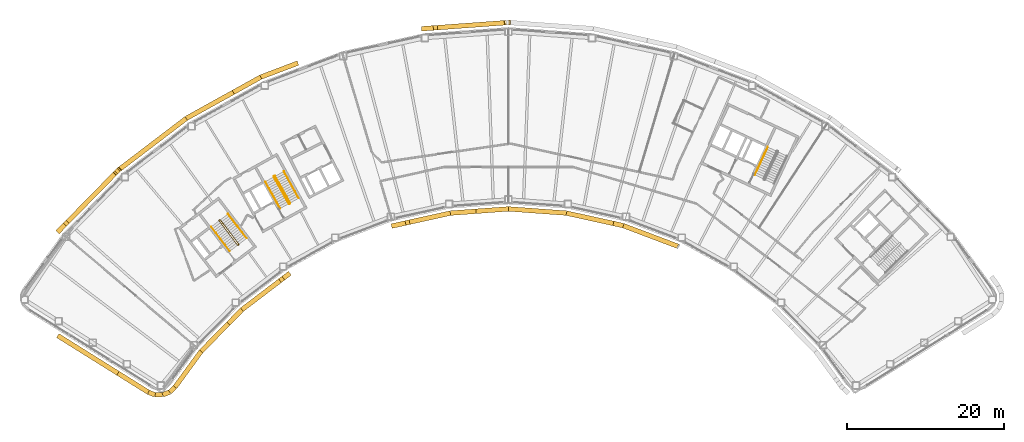
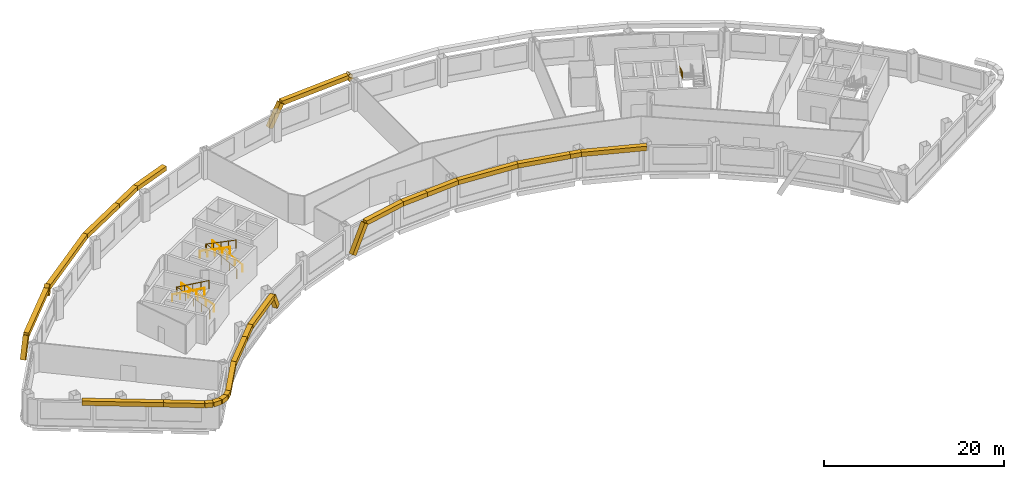
# One storey, part 11 of 12: 32 coverings, 7 railings.
"""IFC4 building model written with IfcOpenShell, lengths in metres."""

from ifc_helpers import new_model, si_unit, direction, frame, origin, origin_2d, place, context, subcontext, project, spatial, rectangle, circle, extrude, material, material_profile, profile_set, type_object, element, save


model = new_model("IFC4")

# Units and contexts
model_context = context("Model", 3, precision=1e-05, world=origin(), true_north=direction((0.0, 1.0)))
body_context = subcontext(model_context, "Body", "Model", "MODEL_VIEW")
ifc_project = project(units=[si_unit("LENGTHUNIT", "METRE"), si_unit("AREAUNIT", "SQUARE_METRE"), si_unit("VOLUMEUNIT", "CUBIC_METRE"), si_unit("PLANEANGLEUNIT", "RADIAN"), si_unit("MASSUNIT", "GRAM", prefix="KILO")], contexts=[model_context])

# Site, building, storey
site_placement = place(None, origin())
site = spatial("IfcSite", under=ifc_project, at=site_placement, CompositionType="ELEMENT")
building_placement = place(site_placement, origin())
building = spatial("IfcBuilding", under=site, at=building_placement, Name="Tuul Gate Civic Tower", CompositionType="ELEMENT")
storey_placement = place(building_placement, frame((0.0, 0.0, 193.10009765625)))
storey = spatial("IfcBuildingStorey", under=building, at=storey_placement, Name="Level 44", CompositionType="ELEMENT", Elevation=193.10009765625)

# Railings
ifc_material_1 = material(Name="Painted steel", Category="steel")
railing_type_1 = type_object("IfcRailingType", Name="Stair guard", PredefinedType="GUARDRAIL", material=ifc_material_1)
railing_1_placement = place(storey_placement, frame((-33.382080078125, -13.515380859375, 0.0)))
element("IfcRailing", 1, at=railing_1_placement, inside=storey, type_object=railing_type_1, Name="Level 44 ST-1 stair guard 1", PredefinedType="GUARDRAIL", context=body_context, shape_type="SweptSolid", body=[
    extrude(circle(Radius=0.02392578125, at=origin_2d()), frame((0.0, 0.0, 1.076171875), z_axis=(-0.795879841968, -0.605454603706, 0.0), x_axis=(0.605454603706, -0.795879841968, 0.0)), (0.0, 0.0, 1.0), 0.10009765625),
    extrude(circle(Radius=0.02392578125, at=origin_2d()), frame((-0.07958984375, -0.060546875, 1.076171875), z_axis=(0.408991890351, 0.599481263939, 0.688002796371), x_axis=(-0.826063974707, 0.563576356576, 0.0)), (0.0, 0.0, 1.0), 0.2177734375),
    extrude(circle(Radius=0.02392578125, at=origin_2d()), frame((0.009521484375, 0.070068359375, 1.22607421875), z_axis=(-0.541824460341, 0.711645023348, 0.447199748346), x_axis=(-0.795637165283, -0.60577347352, 0.0)), (0.0, 0.0, 1.0), 4.3603515625),
    extrude(circle(Radius=0.02392578125, at=origin_2d()), frame((-2.35302734375, 3.173095703125, 3.17578125), z_axis=(-0.990893089246, 0.134650977284, 0.0), x_axis=(-0.134650977284, -0.990893089246, 0.0)), (0.0, 0.0, 1.0), 0.07080078125),
    extrude(circle(Radius=0.02392578125, at=origin_2d()), frame((-2.423095703125, 3.1826171875, 3.17578125), z_axis=(-0.793802879778, -0.60817512943, 0.0), x_axis=(0.60817512943, -0.793802879778, 0.0)), (0.0, 0.0, 1.0), 0.099853515625),
    extrude(circle(Radius=0.02392578125, at=origin_2d()), frame((-2.50244140625, 3.121826171875, 3.17578125), z_axis=(-0.057370624079, -0.422188951554, 0.904690610473), x_axis=(0.990893089246, -0.134650977284, 0.0)), (0.0, 0.0, 1.0), 0.166015625),
    extrude(circle(Radius=0.02392578125, at=origin_2d()), frame((-2.511962890625, 3.0517578125, 3.326171875), z_axis=(0.541806494602, -0.71163897684, 0.447231136047), x_axis=(0.795644365679, 0.605764016233, 0.0)), (0.0, 0.0, 1.0), 4.360107421875),
    extrude(circle(Radius=0.02099609375, at=origin_2d()), origin(), (0.0, 0.0, 1.0), 1.052001953125),
    extrude(circle(Radius=0.02099609375, at=origin_2d()), frame((-0.07958984375, -0.060546875, 0.0)), (0.0, 0.0, 1.0), 1.052001953125),
    extrude(circle(Radius=0.02099609375, at=origin_2d()), frame((0.009521484375, 0.070068359375, 0.14990234375)), (0.0, 0.0, 1.0), 1.052001953125),
    extrude(circle(Radius=0.02099609375, at=origin_2d()), frame((-0.5810546875, 0.845703125, 0.637451171875)), (0.0, 0.0, 1.0), 1.052001953125),
    extrude(circle(Radius=0.02099609375, at=origin_2d()), frame((-1.171875, 1.62158203125, 1.125)), (0.0, 0.0, 1.0), 1.052001953125),
    extrude(circle(Radius=0.02099609375, at=origin_2d()), frame((-1.762451171875, 2.3974609375, 1.6123046875)), (0.0, 0.0, 1.0), 1.052001953125),
    extrude(circle(Radius=0.02099609375, at=origin_2d()), frame((-2.35302734375, 3.173095703125, 2.099853515625)), (0.0, 0.0, 1.0), 1.052001953125),
    extrude(circle(Radius=0.02099609375, at=origin_2d()), frame((-2.423095703125, 3.1826171875, 2.099853515625)), (0.0, 0.0, 1.0), 1.052001953125),
    extrude(circle(Radius=0.02099609375, at=origin_2d()), frame((-2.50244140625, 3.121826171875, 2.099853515625)), (0.0, 0.0, 1.0), 1.052001953125),
    extrude(circle(Radius=0.02099609375, at=origin_2d()), frame((-2.511962890625, 3.0517578125, 2.25)), (0.0, 0.0, 1.0), 1.052001953125),
    extrude(circle(Radius=0.02099609375, at=origin_2d()), frame((-1.92138671875, 2.276123046875, 2.737548828125)), (0.0, 0.0, 1.0), 1.052001953125),
    extrude(circle(Radius=0.02099609375, at=origin_2d()), frame((-1.330810546875, 1.50048828125, 3.22509765625)), (0.0, 0.0, 1.0), 1.052001953125),
    extrude(circle(Radius=0.02099609375, at=origin_2d()), frame((-0.740234375, 0.724609375, 3.71240234375)), (0.0, 0.0, 1.0), 1.052001953125),
    extrude(circle(Radius=0.02099609375, at=origin_2d()), frame((-0.149658203125, -0.051025390625, 4.199951171875)), (0.0, 0.0, 1.0), 1.052001953125),
])
railing_2_placement = place(storey_placement, frame((-26.857666015625, -8.247314453125, 0.0)))
element("IfcRailing", 2, at=railing_2_placement, inside=storey, type_object=railing_type_1, Name="Level 44 ST-2 stair guard 1", PredefinedType="GUARDRAIL", context=body_context, shape_type="SweptSolid", body=[
    extrude(circle(Radius=0.02392578125, at=origin_2d()), frame((0.0, 0.0, 1.076171875), z_axis=(-0.874616555828, -0.48481530532, 0.0), x_axis=(0.48481530532, -0.874616555828, 0.0)), (0.0, 0.0, 1.0), 0.10009765625),
    extrude(circle(Radius=0.02392578125, at=origin_2d()), frame((-0.087646484375, -0.048583984375, 1.076171875), z_axis=(0.49081399482, 0.534516610797, 0.688036056665), x_axis=(-0.736576986774, 0.676353711126, 0.0)), (0.0, 0.0, 1.0), 0.2177734375),
    extrude(circle(Radius=0.02392578125, at=origin_2d()), frame((0.019287109375, 0.06787109375, 1.22607421875), z_axis=(-0.43354991378, 0.782327185242, 0.447212083348), x_axis=(-0.874667644053, -0.484723129681, 0.0)), (0.0, 0.0, 1.0), 4.3603515625),
    extrude(circle(Radius=0.02392578125, at=origin_2d()), frame((-1.87109375, 3.47900390625, 3.17578125), z_axis=(-0.961263487578, 0.275631107549, 0.0), x_axis=(-0.275631107549, -0.961263487578, 0.0)), (0.0, 0.0, 1.0), 0.07080078125),
    extrude(circle(Radius=0.02392578125, at=origin_2d()), frame((-1.939208984375, 3.49853515625, 3.17578125), z_axis=(-0.874042088414, -0.485850211157, 0.0), x_axis=(0.485850211157, -0.874042088414, 0.0)), (0.0, 0.0, 1.0), 0.10009765625),
    extrude(circle(Radius=0.02392578125, at=origin_2d()), frame((-2.026611328125, 3.449951171875, 3.17578125), z_axis=(-0.117709570447, -0.409040757305, 0.904892322815), x_axis=(0.961000426733, -0.276546885391, 0.0)), (0.0, 0.0, 1.0), 0.166015625),
    extrude(circle(Radius=0.02392578125, at=origin_2d()), frame((-2.046142578125, 3.382080078125, 3.326171875), z_axis=(0.433595379963, -0.782308193291, 0.447201226726), x_axis=(0.874641102302, 0.484771020343, 0.0)), (0.0, 0.0, 1.0), 4.3603515625),
    extrude(circle(Radius=0.02099609375, at=origin_2d()), origin(), (0.0, 0.0, 1.0), 1.052001953125),
    extrude(circle(Radius=0.02099609375, at=origin_2d()), frame((-0.087646484375, -0.048583984375, 0.0)), (0.0, 0.0, 1.0), 1.052001953125),
    extrude(circle(Radius=0.02099609375, at=origin_2d()), frame((0.019287109375, 0.06787109375, 0.14990234375)), (0.0, 0.0, 1.0), 1.052001953125),
    extrude(circle(Radius=0.02099609375, at=origin_2d()), frame((-0.453369140625, 0.920654296875, 0.637451171875)), (0.0, 0.0, 1.0), 1.052001953125),
    extrude(circle(Radius=0.02099609375, at=origin_2d()), frame((-0.92578125, 1.7734375, 1.125)), (0.0, 0.0, 1.0), 1.052001953125),
    extrude(circle(Radius=0.02099609375, at=origin_2d()), frame((-1.3984375, 2.626220703125, 1.6123046875)), (0.0, 0.0, 1.0), 1.052001953125),
    extrude(circle(Radius=0.02099609375, at=origin_2d()), frame((-1.87109375, 3.47900390625, 2.099853515625)), (0.0, 0.0, 1.0), 1.052001953125),
    extrude(circle(Radius=0.02099609375, at=origin_2d()), frame((-1.939208984375, 3.49853515625, 2.099853515625)), (0.0, 0.0, 1.0), 1.052001953125),
    extrude(circle(Radius=0.02099609375, at=origin_2d()), frame((-2.026611328125, 3.449951171875, 2.099853515625)), (0.0, 0.0, 1.0), 1.052001953125),
    extrude(circle(Radius=0.02099609375, at=origin_2d()), frame((-2.046142578125, 3.382080078125, 2.25)), (0.0, 0.0, 1.0), 1.052001953125),
    extrude(circle(Radius=0.02099609375, at=origin_2d()), frame((-1.573486328125, 2.529296875, 2.737548828125)), (0.0, 0.0, 1.0), 1.052001953125),
    extrude(circle(Radius=0.02099609375, at=origin_2d()), frame((-1.100830078125, 1.676513671875, 3.22509765625)), (0.0, 0.0, 1.0), 1.052001953125),
    extrude(circle(Radius=0.02099609375, at=origin_2d()), frame((-0.628173828125, 0.82373046875, 3.71240234375)), (0.0, 0.0, 1.0), 1.052001953125),
    extrude(circle(Radius=0.02099609375, at=origin_2d()), frame((-0.155517578125, -0.029052734375, 4.199951171875)), (0.0, 0.0, 1.0), 1.052001953125),
])
ifc_material_2 = material(Name="Painted steel", Category="steel")
railing_type_2 = type_object("IfcRailingType", Name="Stair handrail", PredefinedType="HANDRAIL", material=ifc_material_2)
railing_3_placement = place(storey_placement, frame((-32.3779296875, -12.688232421875, 0.14990234375)))
element("IfcRailing", 3, at=railing_3_placement, inside=storey, type_object=railing_type_2, Name="Level 44 ST-1 stair handrail 1", PredefinedType="HANDRAIL", context=body_context, shape_type="SweptSolid", body=[
    extrude(circle(Radius=0.02392578125, at=origin_2d()), frame((0.0, 0.0, 0.8759765625), z_axis=(-0.541824460341, 0.711645023348, 0.447199748346), x_axis=(-0.795637165283, -0.60577347352, 0.0)), (0.0, 0.0, 1.0), 4.3603515625),
    extrude(circle(Radius=0.02099609375, at=origin_2d()), origin(), (0.0, 0.0, 1.0), 0.851806640625),
    extrude(circle(Radius=0.02099609375, at=origin_2d()), frame((-0.590576171875, 0.77587890625, 0.487548828125)), (0.0, 0.0, 1.0), 0.851806640625),
    extrude(circle(Radius=0.02099609375, at=origin_2d()), frame((-1.18115234375, 1.551513671875, 0.97509765625)), (0.0, 0.0, 1.0), 0.851806640625),
    extrude(circle(Radius=0.02099609375, at=origin_2d()), frame((-1.77197265625, 2.3271484375, 1.46240234375)), (0.0, 0.0, 1.0), 0.851806640625),
    extrude(circle(Radius=0.02099609375, at=origin_2d()), frame((-2.362548828125, 3.10302734375, 1.949951171875)), (0.0, 0.0, 1.0), 0.851806640625),
])
railing_4_placement = place(storey_placement, frame((-36.888671875, -11.220703125, 2.25)))
element("IfcRailing", 4, at=railing_4_placement, inside=storey, type_object=railing_type_2, Name="Level 44 ST-1 stair handrail 2", PredefinedType="HANDRAIL", context=body_context, shape_type="SweptSolid", body=[
    extrude(circle(Radius=0.02392578125, at=origin_2d()), frame((0.0, 0.0, 0.8759765625), z_axis=(0.541824460341, -0.711645023348, 0.447199748346), x_axis=(0.795637165283, 0.60577347352, 0.0)), (0.0, 0.0, 1.0), 4.3603515625),
    extrude(circle(Radius=0.02099609375, at=origin_2d()), origin(), (0.0, 0.0, 1.0), 0.851806640625),
    extrude(circle(Radius=0.02099609375, at=origin_2d()), frame((0.590576171875, -0.77587890625, 0.487548828125)), (0.0, 0.0, 1.0), 0.851806640625),
    extrude(circle(Radius=0.02099609375, at=origin_2d()), frame((1.18115234375, -1.551513671875, 0.97509765625)), (0.0, 0.0, 1.0), 0.851806640625),
    extrude(circle(Radius=0.02099609375, at=origin_2d()), frame((1.77197265625, -2.3271484375, 1.46240234375)), (0.0, 0.0, 1.0), 0.851806640625),
    extrude(circle(Radius=0.02099609375, at=origin_2d()), frame((2.362548828125, -3.10302734375, 1.949951171875)), (0.0, 0.0, 1.0), 0.851806640625),
])
railing_5_placement = place(storey_placement, frame((-25.744873046875, -7.573486328125, 0.14990234375)))
element("IfcRailing", 5, at=railing_5_placement, inside=storey, type_object=railing_type_2, Name="Level 44 ST-2 stair handrail 1", PredefinedType="HANDRAIL", context=body_context, shape_type="SweptSolid", body=[
    extrude(circle(Radius=0.02392578125, at=origin_2d()), frame((0.0, 0.0, 0.8759765625), z_axis=(-0.433595379963, 0.782308193291, 0.447201226726), x_axis=(-0.874641102302, -0.484771020343, 0.0)), (0.0, 0.0, 1.0), 4.3603515625),
    extrude(circle(Radius=0.02099609375, at=origin_2d()), origin(), (0.0, 0.0, 1.0), 0.851806640625),
    extrude(circle(Radius=0.02099609375, at=origin_2d()), frame((-0.47265625, 0.852783203125, 0.487548828125)), (0.0, 0.0, 1.0), 0.851806640625),
    extrude(circle(Radius=0.02099609375, at=origin_2d()), frame((-0.9453125, 1.70556640625, 0.97509765625)), (0.0, 0.0, 1.0), 0.851806640625),
    extrude(circle(Radius=0.02099609375, at=origin_2d()), frame((-1.41796875, 2.558349609375, 1.46240234375)), (0.0, 0.0, 1.0), 0.851806640625),
    extrude(circle(Radius=0.02099609375, at=origin_2d()), frame((-1.890625, 3.4111328125, 1.949951171875)), (0.0, 0.0, 1.0), 0.851806640625),
])
railing_6_placement = place(storey_placement, frame((-29.9970703125, -5.47119140625, 2.25)))
element("IfcRailing", 6, at=railing_6_placement, inside=storey, type_object=railing_type_2, Name="Level 44 ST-2 stair handrail 2", PredefinedType="HANDRAIL", context=body_context, shape_type="SweptSolid", body=[
    extrude(circle(Radius=0.02392578125, at=origin_2d()), frame((0.0, 0.0, 0.8759765625), z_axis=(0.433595379963, -0.782308193291, 0.447201226726), x_axis=(0.874641102302, 0.484771020343, 0.0)), (0.0, 0.0, 1.0), 4.3603515625),
    extrude(circle(Radius=0.02099609375, at=origin_2d()), origin(), (0.0, 0.0, 1.0), 0.851806640625),
    extrude(circle(Radius=0.02099609375, at=origin_2d()), frame((0.47265625, -0.852783203125, 0.487548828125)), (0.0, 0.0, 1.0), 0.851806640625),
    extrude(circle(Radius=0.02099609375, at=origin_2d()), frame((0.9453125, -1.70556640625, 0.97509765625)), (0.0, 0.0, 1.0), 0.851806640625),
    extrude(circle(Radius=0.02099609375, at=origin_2d()), frame((1.41796875, -2.558349609375, 1.46240234375)), (0.0, 0.0, 1.0), 0.851806640625),
    extrude(circle(Radius=0.02099609375, at=origin_2d()), frame((1.890625, -3.4111328125, 1.949951171875)), (0.0, 0.0, 1.0), 0.851806640625),
])
railing_7_placement = place(storey_placement, frame((34.046142578125, -1.06689453125, 2.25)))
element("IfcRailing", 7, at=railing_7_placement, inside=storey, type_object=railing_type_2, Name="Level 44 ST-4 stair handrail 2", PredefinedType="HANDRAIL", context=body_context, shape_type="SweptSolid", body=[
    extrude(circle(Radius=0.02392578125, at=origin_2d()), frame((0.0, 0.0, 0.8759765625), z_axis=(-0.377994896215, -0.810636958585, 0.447199709091), x_axis=(0.906312636903, -0.422607861012, 0.0)), (0.0, 0.0, 1.0), 4.3603515625),
    extrude(circle(Radius=0.02099609375, at=origin_2d()), origin(), (0.0, 0.0, 1.0), 0.851806640625),
    extrude(circle(Radius=0.02099609375, at=origin_2d()), frame((-0.412109375, -0.8837890625, 0.487548828125)), (0.0, 0.0, 1.0), 0.851806640625),
    extrude(circle(Radius=0.02099609375, at=origin_2d()), frame((-0.82421875, -1.767333984375, 0.97509765625)), (0.0, 0.0, 1.0), 0.851806640625),
    extrude(circle(Radius=0.02099609375, at=origin_2d()), frame((-1.236083984375, -2.65087890625, 1.46240234375)), (0.0, 0.0, 1.0), 0.851806640625),
    extrude(circle(Radius=0.02099609375, at=origin_2d()), frame((-1.648193359375, -3.53466796875, 1.949951171875)), (0.0, 0.0, 1.0), 0.851806640625),
])

# Coverings
ifc_material_3 = material(Name="Terracotta baguette", Category="masonry")
ifc_material_profile = material_profile(ifc_material_3, rectangle(XDim=0.60009765625, YDim=0.60009765625, at=origin_2d()), Name="Terracotta baguette screen frame")
ifc_profile_set = profile_set([ifc_material_profile], Name="Terracotta baguette")
covering_type = type_object("IfcCoveringType", Name="Terracotta baguette screen frame", PredefinedType="CLADDING", material=ifc_profile_set)
covering_1_placement = place(storey_placement, frame((0.989990234375, 14.819091796875, 4.09912109375), z_axis=(-0.731896809829, -0.053228858897, -0.679333311669), x_axis=(0.072535695779, -0.997365816959, 0.0)))
element("IfcCovering", 8, at=covering_1_placement, inside=storey, type_object=covering_type, Name="Baguette 72", PredefinedType="CLADDING", context=body_context, shape_type="SweptSolid", body=[
    extrude(rectangle(XDim=0.60009765625, YDim=0.60009765625, at=origin_2d()), origin(), (0.0, 0.0, 1.0), 0.366943359375),
])
covering_2_placement = place(storey_placement, frame((0.721435546875, 14.799560546875, 3.849853515625), z_axis=(0.474151982083, 0.034483780515, -0.879767450392), x_axis=(-0.072535695779, 0.997365816959, 0.0)))
element("IfcCovering", 9, at=covering_2_placement, inside=storey, type_object=covering_type, Name="Baguette 76", PredefinedType="CLADDING", context=body_context, shape_type="SweptSolid", body=[
    extrude(rectangle(XDim=0.60009765625, YDim=0.60009765625, at=origin_2d()), origin(), (0.0, 0.0, 1.0), 0.56640625),
])
covering_3_placement = place(storey_placement, frame((0.721435546875, 14.799560546875, 3.849853515625), z_axis=(-0.997388140467, -0.072228091871, 0.0), x_axis=(0.072228091871, -0.997388140467, 0.0)))
element("IfcCovering", 10, at=covering_3_placement, inside=storey, type_object=covering_type, Name="Baguette 78", PredefinedType="CLADDING", context=body_context, shape_type="SweptSolid", body=[
    extrude(rectangle(XDim=0.60009765625, YDim=0.60009765625, at=origin_2d()), origin(), (0.0, 0.0, 1.0), 9.072265625),
])
covering_4_placement = place(storey_placement, frame((-8.3271484375, 14.144287109375, 3.849853515625), z_axis=(-0.473998860625, -0.03433994987, -0.879855583587), x_axis=(0.072257946867, -0.997385978002, 0.0)))
element("IfcCovering", 11, at=covering_4_placement, inside=storey, type_object=covering_type, Name="Baguette 83", PredefinedType="CLADDING", context=body_context, shape_type="SweptSolid", body=[
    extrude(rectangle(XDim=0.60009765625, YDim=0.60009765625, at=origin_2d()), origin(), (0.0, 0.0, 1.0), 3.177978515625),
])
covering_5_placement = place(storey_placement, frame((-25.83984375, 9.653564453125, 3.849853515625), z_axis=(-0.935351328768, -0.353720075442, 0.0), x_axis=(0.353720075442, -0.935351328768, 0.0)))
element("IfcCovering", 12, at=covering_5_placement, inside=storey, type_object=covering_type, Name="Baguette 99", PredefinedType="CLADDING", context=body_context, shape_type="SweptSolid", body=[
    extrude(rectangle(XDim=0.60009765625, YDim=0.60009765625, at=origin_2d()), origin(), (0.0, 0.0, 1.0), 5.06689453125),
])
covering_6_placement = place(storey_placement, frame((-30.5791015625, 7.861328125, 3.849853515625), z_axis=(-0.874628361903, -0.484794006312, 0.0), x_axis=(0.484794006312, -0.874628361903, 0.0)))
element("IfcCovering", 13, at=covering_6_placement, inside=storey, type_object=covering_type, Name="Baguette 100", PredefinedType="CLADDING", context=body_context, shape_type="SweptSolid", body=[
    extrude(rectangle(XDim=0.60009765625, YDim=0.60009765625, at=origin_2d()), origin(), (0.0, 0.0, 1.0), 4.005615234375),
])
covering_7_placement = place(storey_placement, frame((-48.70361328125, -3.97314453125, 4.264404296875), z_axis=(-0.513683840045, -0.52408553774, -0.679310872582), x_axis=(0.714158332197, -0.69998419736, 0.0)))
element("IfcCovering", 14, at=covering_7_placement, inside=storey, type_object=covering_type, Name="Baguette 114", PredefinedType="CLADDING", context=body_context, shape_type="SweptSolid", body=[
    extrude(rectangle(XDim=0.60009765625, YDim=0.60009765625, at=origin_2d()), origin(), (0.0, 0.0, 1.0), 0.6103515625),
])
covering_8_placement = place(storey_placement, frame((-49.01708984375, -4.29296875, 3.849853515625), z_axis=(0.332665127515, 0.339401337262, -0.879852626978), x_axis=(-0.714158332197, 0.69998419736, 0.0)))
element("IfcCovering", 15, at=covering_8_placement, inside=storey, type_object=covering_type, Name="Baguette 118", PredefinedType="CLADDING", context=body_context, shape_type="SweptSolid", body=[
    extrude(rectangle(XDim=0.60009765625, YDim=0.60009765625, at=origin_2d()), origin(), (0.0, 0.0, 1.0), 0.9423828125),
])
covering_9_placement = place(storey_placement, frame((-49.01708984375, -4.29296875, 3.849853515625), z_axis=(-0.700048272114, -0.714095523519, 0.0), x_axis=(0.714095523519, -0.700048272114, 0.0)))
element("IfcCovering", 16, at=covering_9_placement, inside=storey, type_object=covering_type, Name="Baguette 120", PredefinedType="CLADDING", context=body_context, shape_type="SweptSolid", body=[
    extrude(rectangle(XDim=0.60009765625, YDim=0.60009765625, at=origin_2d()), origin(), (0.0, 0.0, 1.0), 9.072265625),
])
covering_10_placement = place(storey_placement, frame((-55.3681640625, -10.771484375, 3.849853515625), z_axis=(-0.332594617823, -0.339307536714, -0.879915459419), x_axis=(0.714135785527, -0.700007199842, 0.0)))
element("IfcCovering", 17, at=covering_10_placement, inside=storey, type_object=covering_type, Name="Baguette 125", PredefinedType="CLADDING", context=body_context, shape_type="SweptSolid", body=[
    extrude(rectangle(XDim=0.60009765625, YDim=0.60009765625, at=origin_2d()), origin(), (0.0, 0.0, 1.0), 2.80029296875),
])
covering_11_placement = place(storey_placement, frame((-56.455810546875, -25.094482421875, 3.849853515625), z_axis=(0.848058898511, -0.529901976461, 0.0), x_axis=(0.529901976461, 0.848058898511, 0.0)))
element("IfcCovering", 18, at=covering_11_placement, inside=storey, type_object=covering_type, Name="Baguette 152", PredefinedType="CLADDING", context=body_context, shape_type="SweptSolid", body=[
    extrude(rectangle(XDim=0.60009765625, YDim=0.60009765625, at=origin_2d()), origin(), (0.0, 0.0, 1.0), 9.05322265625),
])
covering_12_placement = place(storey_placement, frame((-34.7177734375, -23.561767578125, 3.849853515625), z_axis=(0.700087148809, 0.714057409507, 0.0), x_axis=(-0.714057409507, 0.700087148809, 0.0)))
element("IfcCovering", 19, at=covering_12_placement, inside=storey, type_object=covering_type, Name="Baguette 184", PredefinedType="CLADDING", context=body_context, shape_type="SweptSolid", body=[
    extrude(rectangle(XDim=0.60009765625, YDim=0.60009765625, at=origin_2d()), origin(), (0.0, 0.0, 1.0), 2.4814453125),
])
covering_13_placement = place(storey_placement, frame((-32.98046875, -21.789794921875, 3.849853515625), z_axis=(0.795586533253, 0.605839969057, 0.0), x_axis=(-0.605839969057, 0.795586533253, 0.0)))
element("IfcCovering", 20, at=covering_13_placement, inside=storey, type_object=covering_type, Name="Baguette 185", PredefinedType="CLADDING", context=body_context, shape_type="SweptSolid", body=[
    extrude(rectangle(XDim=0.60009765625, YDim=0.60009765625, at=origin_2d()), origin(), (0.0, 0.0, 1.0), 6.370361328125),
])
covering_14_placement = place(storey_placement, frame((-27.912353515625, -17.930419921875, 3.849853515625), z_axis=(0.370903292245, 0.282468822448, -0.884670623536), x_axis=(-0.605874698824, 0.795560085302, 0.0)))
element("IfcCovering", 21, at=covering_14_placement, inside=storey, type_object=covering_type, Name="Baguette 190", PredefinedType="CLADDING", context=body_context, shape_type="SweptSolid", body=[
    extrude(rectangle(XDim=0.60009765625, YDim=0.60009765625, at=origin_2d()), origin(), (0.0, 0.0, 1.0), 2.247314453125),
])
covering_15_placement = place(storey_placement, frame((-11.874755859375, -10.683837890625, 3.849853515625), z_axis=(-0.455229347503, -0.100335498866, -0.884702791247), x_axis=(0.215240395152, -0.976561095014, 0.0)))
element("IfcCovering", 22, at=covering_15_placement, inside=storey, type_object=covering_type, Name="Baguette 208", PredefinedType="CLADDING", context=body_context, shape_type="SweptSolid", body=[
    extrude(rectangle(XDim=0.60009765625, YDim=0.60009765625, at=origin_2d()), origin(), (0.0, 0.0, 1.0), 3.9052734375),
])
covering_16_placement = place(storey_placement, frame((-11.874755859375, -10.683837890625, 3.849853515625), z_axis=(0.97655816768, 0.215253676247, 0.0), x_axis=(-0.215253676247, 0.97655816768, 0.0)))
element("IfcCovering", 23, at=covering_16_placement, inside=storey, type_object=covering_type, Name="Baguette 210", PredefinedType="CLADDING", context=body_context, shape_type="SweptSolid", body=[
    extrude(rectangle(XDim=0.60009765625, YDim=0.60009765625, at=origin_2d()), origin(), (0.0, 0.0, 1.0), 5.59716796875),
])
covering_17_placement = place(storey_placement, frame((-6.40869140625, -9.47900390625, 3.849853515625), z_axis=(0.997387381497, 0.072238571629, 0.0), x_axis=(-0.072238571629, 0.997387381497, 0.0)))
element("IfcCovering", 24, at=covering_17_placement, inside=storey, type_object=covering_type, Name="Baguette 211", PredefinedType="CLADDING", context=body_context, shape_type="SweptSolid", body=[
    extrude(rectangle(XDim=0.60009765625, YDim=0.60009765625, at=origin_2d()), origin(), (0.0, 0.0, 1.0), 3.254638671875),
])
covering_18_placement = place(storey_placement, frame((14.36767578125, -10.796875, 3.849853515625), z_axis=(0.976558162371, -0.215253700333, 0.0), x_axis=(0.215253700333, 0.976558162371, 0.0)))
element("IfcCovering", 25, at=covering_18_placement, inside=storey, type_object=covering_type, Name="Baguette 233", PredefinedType="CLADDING", context=body_context, shape_type="SweptSolid", body=[
    extrude(rectangle(XDim=0.60009765625, YDim=0.60009765625, at=origin_2d()), origin(), (0.0, 0.0, 1.0), 1.295166015625),
])
covering_19_placement = place(storey_placement, frame((15.632568359375, -11.07568359375, 3.849853515625), z_axis=(0.935363965038, -0.353686659217, 0.0), x_axis=(0.353686659217, 0.935363965038, 0.0)))
element("IfcCovering", 26, at=covering_19_placement, inside=storey, type_object=covering_type, Name="Baguette 234", PredefinedType="CLADDING", context=body_context, shape_type="SweptSolid", body=[
    extrude(rectangle(XDim=0.60009765625, YDim=0.60009765625, at=origin_2d()), origin(), (0.0, 0.0, 1.0), 7.417724609375),
])
covering_20_placement = place(storey_placement, frame((-34.08251953125, 5.91943359375, 3.849853515625), z_axis=(-0.874626201683, -0.484797903595, 0.0), x_axis=(0.484797903595, -0.874626201683, 0.0)))
element("IfcCovering", 27, at=covering_20_placement, inside=storey, type_object=covering_type, Name="Baguette 310", PredefinedType="CLADDING", context=body_context, shape_type="SweptSolid", body=[
    extrude(rectangle(XDim=0.60009765625, YDim=0.60009765625, at=origin_2d()), origin(), (0.0, 0.0, 1.0), 6.845947265625),
])
covering_21_placement = place(storey_placement, frame((-40.070068359375, 2.6005859375, 3.849853515625), z_axis=(-0.795618643442, -0.605797799771, 0.0), x_axis=(0.605797799771, -0.795618643442, 0.0)))
element("IfcCovering", 28, at=covering_21_placement, inside=storey, type_object=covering_type, Name="Baguette 311", PredefinedType="CLADDING", context=body_context, shape_type="SweptSolid", body=[
    extrude(rectangle(XDim=0.60009765625, YDim=0.60009765625, at=origin_2d()), origin(), (0.0, 0.0, 1.0), 10.851318359375),
])
covering_22_placement = place(storey_placement, frame((-48.70361328125, -3.97314453125, 3.849853515625), z_axis=(-0.69998419736, -0.714158332197, 0.0), x_axis=(0.714158332197, -0.69998419736, 0.0)))
element("IfcCovering", 29, at=covering_22_placement, inside=storey, type_object=covering_type, Name="Baguette 312", PredefinedType="CLADDING", context=body_context, shape_type="SweptSolid", body=[
    extrude(rectangle(XDim=0.60009765625, YDim=0.60009765625, at=origin_2d()), origin(), (0.0, 0.0, 1.0), 0.44775390625),
])
covering_23_placement = place(storey_placement, frame((-48.778076171875, -29.891845703125, 3.849853515625), z_axis=(0.848052215177, -0.529912672365, 0.0), x_axis=(0.529912672365, 0.848052215177, 0.0)))
element("IfcCovering", 30, at=covering_23_placement, inside=storey, type_object=covering_type, Name="Baguette 330", PredefinedType="CLADDING", context=body_context, shape_type="SweptSolid", body=[
    extrude(rectangle(XDim=0.60009765625, YDim=0.60009765625, at=origin_2d()), origin(), (0.0, 0.0, 1.0), 4.5791015625),
])
covering_24_placement = place(storey_placement, frame((-44.894775390625, -32.318359375, 3.849853515625), z_axis=(0.931836861998, -0.362877476047, 0.0), x_axis=(0.362877476047, 0.931836861998, 0.0)))
element("IfcCovering", 31, at=covering_24_placement, inside=storey, type_object=covering_type, Name="Baguette 331", PredefinedType="CLADDING", context=body_context, shape_type="SweptSolid", body=[
    extrude(rectangle(XDim=0.60009765625, YDim=0.60009765625, at=origin_2d()), origin(), (0.0, 0.0, 1.0), 0.901611328125),
])
covering_25_placement = place(storey_placement, frame((-44.0546875, -32.6455078125, 3.849853515625), z_axis=(0.999995470638, 0.003009768158, 0.0), x_axis=(-0.003009768158, 0.999995470638, 0.0)))
element("IfcCovering", 32, at=covering_25_placement, inside=storey, type_object=covering_type, Name="Baguette 332", PredefinedType="CLADDING", context=body_context, shape_type="SweptSolid", body=[
    extrude(rectangle(XDim=0.60009765625, YDim=0.60009765625, at=origin_2d()), origin(), (0.0, 0.0, 1.0), 0.973388671875),
])
covering_26_placement = place(storey_placement, frame((-43.081298828125, -32.642578125, 3.849853515625), z_axis=(0.92921778572, 0.369532551614, 0.0), x_axis=(-0.369532551614, 0.92921778572, 0.0)))
element("IfcCovering", 33, at=covering_26_placement, inside=storey, type_object=covering_type, Name="Baguette 333", PredefinedType="CLADDING", context=body_context, shape_type="SweptSolid", body=[
    extrude(rectangle(XDim=0.60009765625, YDim=0.60009765625, at=origin_2d()), origin(), (0.0, 0.0, 1.0), 0.974609375),
])
covering_27_placement = place(storey_placement, frame((-42.17578125, -32.282470703125, 3.849853515625), z_axis=(0.729883388516, 0.68357167815, 0.0), x_axis=(-0.68357167815, 0.729883388516, 0.0)))
element("IfcCovering", 34, at=covering_27_placement, inside=storey, type_object=covering_type, Name="Baguette 334", PredefinedType="CLADDING", context=body_context, shape_type="SweptSolid", body=[
    extrude(rectangle(XDim=0.60009765625, YDim=0.60009765625, at=origin_2d()), origin(), (0.0, 0.0, 1.0), 0.9013671875),
])
covering_28_placement = place(storey_placement, frame((-41.517822265625, -31.666259765625, 3.849853515625), z_axis=(0.589729447422, 0.807600878432, 0.0), x_axis=(-0.807600878432, 0.589729447422, 0.0)))
element("IfcCovering", 35, at=covering_28_placement, inside=storey, type_object=covering_type, Name="Baguette 335", PredefinedType="CLADDING", context=body_context, shape_type="SweptSolid", body=[
    extrude(rectangle(XDim=0.60009765625, YDim=0.60009765625, at=origin_2d()), origin(), (0.0, 0.0, 1.0), 5.671142578125),
])
covering_29_placement = place(storey_placement, frame((-38.17333984375, -27.086181640625, 3.849853515625), z_axis=(0.700098115175, 0.714046657529, 0.0), x_axis=(-0.714046657529, 0.700098115175, 0.0)))
element("IfcCovering", 36, at=covering_29_placement, inside=storey, type_object=covering_type, Name="Baguette 336", PredefinedType="CLADDING", context=body_context, shape_type="SweptSolid", body=[
    extrude(rectangle(XDim=0.60009765625, YDim=0.60009765625, at=origin_2d()), origin(), (0.0, 0.0, 1.0), 4.935791015625),
])
covering_30_placement = place(storey_placement, frame((-3.16259765625, -9.243896484375, 3.849853515625), z_axis=(0.99738706214, 0.072242980808, 0.0), x_axis=(-0.072242980808, 0.99738706214, 0.0)))
element("IfcCovering", 37, at=covering_30_placement, inside=storey, type_object=covering_type, Name="Baguette 343", PredefinedType="CLADDING", context=body_context, shape_type="SweptSolid", body=[
    extrude(rectangle(XDim=0.60009765625, YDim=0.60009765625, at=origin_2d()), origin(), (0.0, 0.0, 1.0), 4.16357421875),
])
covering_31_placement = place(storey_placement, frame((0.989990234375, -8.943115234375, 3.849853515625), z_axis=(0.997387202257, -0.072241046327, 0.0), x_axis=(0.072241046327, 0.997387202257, 0.0)))
element("IfcCovering", 38, at=covering_31_placement, inside=storey, type_object=covering_type, Name="Baguette 344", PredefinedType="CLADDING", context=body_context, shape_type="SweptSolid", body=[
    extrude(rectangle(XDim=0.60009765625, YDim=0.60009765625, at=origin_2d()), origin(), (0.0, 0.0, 1.0), 7.41796875),
])
covering_32_placement = place(storey_placement, frame((8.388671875, -9.47900390625, 3.849853515625), z_axis=(0.976559039251, -0.215249722086, 0.0), x_axis=(0.215249722086, 0.976559039251, 0.0)))
element("IfcCovering", 39, at=covering_32_placement, inside=storey, type_object=covering_type, Name="Baguette 345", PredefinedType="CLADDING", context=body_context, shape_type="SweptSolid", body=[
    extrude(rectangle(XDim=0.60009765625, YDim=0.60009765625, at=origin_2d()), origin(), (0.0, 0.0, 1.0), 6.12255859375),
])

save(model, "model.ifc")
